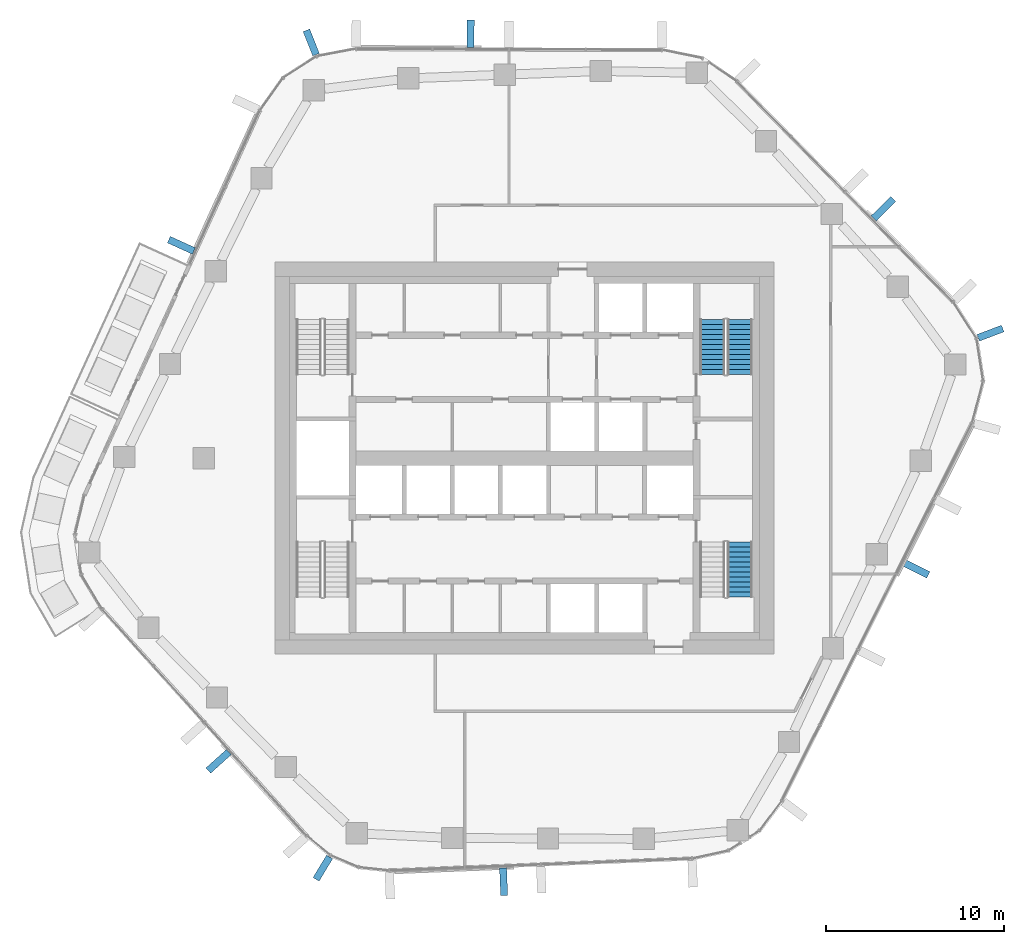
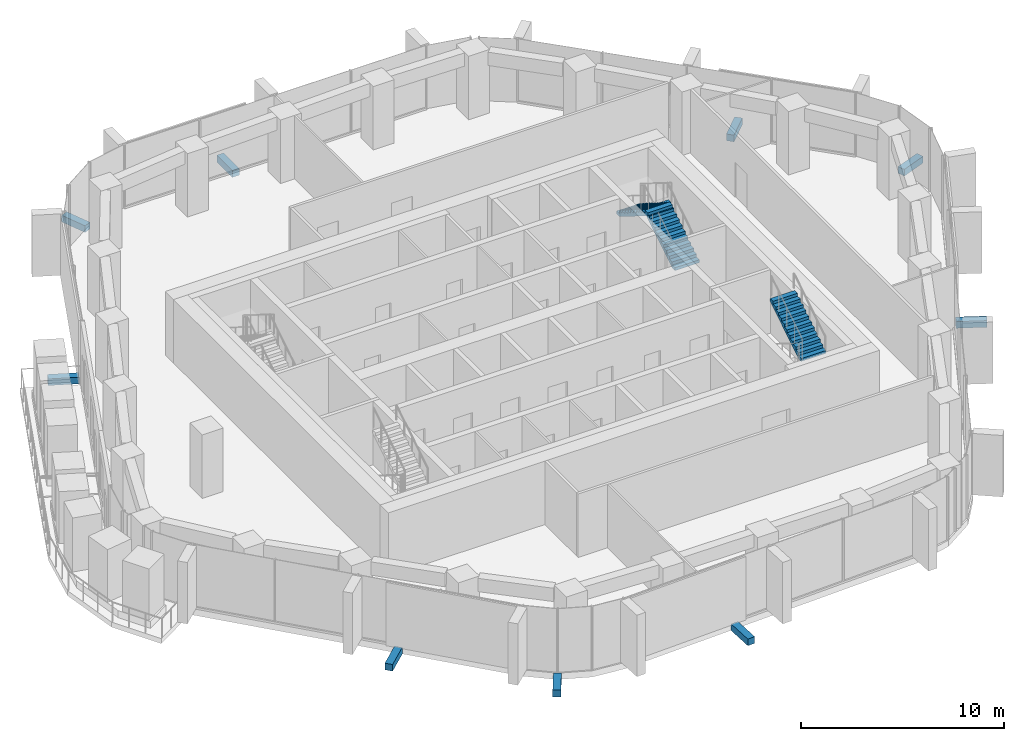
# One storey, part 14 of 18: 9 discrete accessories, 3 stair flights, 2 elements without a shape of their own.
"""IFC4 building model written with IfcOpenShell, lengths in metres."""

from ifc_helpers import new_model, si_unit, direction, frame, origin, origin_2d, place, context, subcontext, project, spatial, polyline, rectangle, outline, extrude, material, layer, layer_set, type_object, element, aggregate, save


model = new_model("IFC4")

# Units and contexts
model_context = context("Model", 3, precision=1e-05, world=origin(), true_north=direction((0.0, 1.0)))
body_context = subcontext(model_context, "Body", "Model", "MODEL_VIEW")
ifc_project = project(units=[si_unit("LENGTHUNIT", "METRE"), si_unit("AREAUNIT", "SQUARE_METRE"), si_unit("VOLUMEUNIT", "CUBIC_METRE"), si_unit("PLANEANGLEUNIT", "RADIAN"), si_unit("MASSUNIT", "GRAM", prefix="KILO")], contexts=[model_context])

# Site, building, storey
site_placement = place(None, origin())
site = spatial("IfcSite", under=ifc_project, at=site_placement, CompositionType="ELEMENT")
building_placement = place(site_placement, origin())
building = spatial("IfcBuilding", under=site, at=building_placement, Name="Dongbaek Canopy Tower", CompositionType="ELEMENT")
storey_placement = place(building_placement, frame((0.0, 0.0, 203.0)))
storey = spatial("IfcBuildingStorey", under=building, at=storey_placement, Name="L42", CompositionType="ELEMENT", Elevation=203.0)

# Stair, stair flights
ifc_material_1 = material(Name="Concrete C40/50", Category="concrete")
stair_type = type_object("IfcStairType", Name="Core exit stair", PredefinedType="HALF_TURN_STAIR", material=ifc_material_1)
stair_1_placement = place(storey_placement, origin())
stair_1 = element("IfcStair", 1, at=stair_1_placement, inside=storey, type_object=stair_type, Name="L42 exit stair A", PredefinedType="HALF_TURN_STAIR")
ifc_material_2 = material(Name="Concrete C40/50", Category="concrete")
ifc_layer = layer(ifc_material_2, 0.14990234375)
ifc_layer_set = layer_set([ifc_layer], Name="Core stair flight 150 waist")
stair_flight_type = type_object("IfcStairFlightType", Name="Core stair flight 150 waist", PredefinedType="STRAIGHT", material=ifc_layer_set)
stair_flight_1_placement = place(storey_placement, frame((12.10009765625, 4.699951171875, 0.0), z_axis=(0.0, 0.0, 1.0), x_axis=(0.0, 1.0, 0.0)))
stair_flight_1 = element("IfcStairFlight", 2, at=stair_flight_1_placement, type_object=stair_flight_type, Name="ST-A flight 1", NumberOfRisers=12, NumberOfTreads=11, PredefinedType="STRAIGHT", RiserHeight=0.175, TreadLength=0.28, context=body_context, shape_type="SweptSolid", body=[
    extrude(outline(polyline([(0.0, 0.0), (0.0, 0.175048828125), (0.280029296875, 0.175048828125), (0.280029296875, 0.35009765625), (0.56005859375, 0.35009765625), (0.56005859375, 0.52490234375), (0.840087890625, 0.52490234375), (0.840087890625, 0.699951171875), (1.1201171875, 0.699951171875), (1.1201171875, 0.875), (1.39990234375, 0.875), (1.39990234375, 1.050048828125), (1.679931640625, 1.050048828125), (1.679931640625, 1.22509765625), (1.9599609375, 1.22509765625), (1.9599609375, 1.39990234375), (2.239990234375, 1.39990234375), (2.239990234375, 1.574951171875), (2.52001953125, 1.574951171875), (2.52001953125, 1.75), (2.800048828125, 1.75), (2.800048828125, 1.925048828125), (3.080078125, 1.925048828125), (3.080078125, 2.10009765625), (3.080078125, 1.748291015625), (0.28271484375, 0.0), (0.0, 0.0)])), frame((0.0, 0.699951171875, 0.0), z_axis=(0.0, -1.0, 0.0), x_axis=(1.0, 0.0, 0.0)), (0.0, 0.0, 1.0), 1.39990234375),
])
stair_flight_2_placement = place(storey_placement, frame((10.550048828125, 7.780029296875, 2.10009765625), z_axis=(0.0, 0.0, 1.0), x_axis=(0.0, -1.0, 0.0)))
stair_flight_2 = element("IfcStairFlight", 3, at=stair_flight_2_placement, type_object=stair_flight_type, Name="ST-A flight 2", NumberOfRisers=12, NumberOfTreads=11, PredefinedType="STRAIGHT", RiserHeight=0.175, TreadLength=0.28, context=body_context, shape_type="SweptSolid", body=[
    extrude(outline(polyline([(0.0, 0.0), (0.0, 0.175048828125), (0.280029296875, 0.175048828125), (0.280029296875, 0.35009765625), (0.56005859375, 0.35009765625), (0.56005859375, 0.52490234375), (0.840087890625, 0.52490234375), (0.840087890625, 0.699951171875), (1.1201171875, 0.699951171875), (1.1201171875, 0.875), (1.39990234375, 0.875), (1.39990234375, 1.050048828125), (1.679931640625, 1.050048828125), (1.679931640625, 1.22509765625), (1.9599609375, 1.22509765625), (1.9599609375, 1.39990234375), (2.239990234375, 1.39990234375), (2.239990234375, 1.574951171875), (2.52001953125, 1.574951171875), (2.52001953125, 1.75), (2.800048828125, 1.75), (2.800048828125, 1.925048828125), (3.080078125, 1.925048828125), (3.080078125, 2.10009765625), (3.080078125, 1.748291015625), (0.28271484375, 0.0), (0.0, 0.0)])), frame((0.0, 0.699951171875, 0.0), z_axis=(0.0, -1.0, 0.0), x_axis=(1.0, 0.0, 0.0)), (0.0, 0.0, 1.0), 1.39990234375),
])
aggregate(stair_1, [stair_flight_1, stair_flight_2])

# Stair, stair flight
stair_2_placement = place(storey_placement, origin())
stair_2 = element("IfcStair", 4, at=stair_2_placement, inside=storey, type_object=stair_type, Name="L42 exit stair B", PredefinedType="HALF_TURN_STAIR")
stair_flight_3_placement = place(storey_placement, frame((12.10009765625, -7.780029296875, 2.10009765625), z_axis=(0.0, 0.0, 1.0), x_axis=(0.0, 1.0, 0.0)))
stair_flight_3 = element("IfcStairFlight", 5, at=stair_flight_3_placement, type_object=stair_flight_type, Name="ST-B flight 2", NumberOfRisers=12, NumberOfTreads=11, PredefinedType="STRAIGHT", RiserHeight=0.175, TreadLength=0.28, context=body_context, shape_type="SweptSolid", body=[
    extrude(outline(polyline([(0.0, 0.0), (0.0, 0.175048828125), (0.280029296875, 0.175048828125), (0.280029296875, 0.35009765625), (0.56005859375, 0.35009765625), (0.56005859375, 0.52490234375), (0.840087890625, 0.52490234375), (0.840087890625, 0.699951171875), (1.1201171875, 0.699951171875), (1.1201171875, 0.875), (1.39990234375, 0.875), (1.39990234375, 1.050048828125), (1.679931640625, 1.050048828125), (1.679931640625, 1.22509765625), (1.9599609375, 1.22509765625), (1.9599609375, 1.39990234375), (2.239990234375, 1.39990234375), (2.239990234375, 1.574951171875), (2.52001953125, 1.574951171875), (2.52001953125, 1.75), (2.800048828125, 1.75), (2.800048828125, 1.925048828125), (3.080078125, 1.925048828125), (3.080078125, 2.10009765625), (3.080078125, 1.748291015625), (0.28271484375, 0.0), (0.0, 0.0)])), frame((0.0, 0.699951171875, 0.0), z_axis=(0.0, -1.0, 0.0), x_axis=(1.0, 0.0, 0.0)), (0.0, 0.0, 1.0), 1.39990234375),
])
aggregate(stair_2, [stair_flight_3])

# Discrete accessories
ifc_material_3 = material(Name="Galvanised steel S355 bracket", Category="steel")
discrete_accessory_type = type_object("IfcDiscreteAccessoryType", Name="Crease fin bracket BR3 400", PredefinedType="BRACKET", material=ifc_material_3)
discrete_accessory_1_placement = place(storey_placement, frame((21.988525390625, -6.20751953125, -0.389892578125), z_axis=(0.0, 0.0, 1.0), x_axis=(0.89328118623, -0.449498300694, 0.0)))
element("IfcDiscreteAccessory", 6, at=discrete_accessory_1_placement, inside=storey, type_object=discrete_accessory_type, Name="Crease fin bracket L42 F5", PredefinedType="BRACKET", context=body_context, shape_type="SweptSolid", body=[
    extrude(rectangle(XDim=1.5390625, YDim=0.39990234375, at=origin_2d()), origin(), (0.0, 0.0, 1.0), 0.39990234375),
])
discrete_accessory_2_placement = place(storey_placement, frame((20.156005859375, 14.0048828125, -0.389892578125), z_axis=(0.0, 0.0, 1.0), x_axis=(0.713782386627, 0.700367549606, 0.0)))
element("IfcDiscreteAccessory", 7, at=discrete_accessory_2_placement, inside=storey, type_object=discrete_accessory_type, Name="Crease fin bracket L42 F0", PredefinedType="BRACKET", context=body_context, shape_type="SweptSolid", body=[
    extrude(rectangle(XDim=1.540283203125, YDim=0.39990234375, at=origin_2d()), origin(), (0.0, 0.0, 1.0), 0.39990234375),
])
discrete_accessory_3_placement = place(storey_placement, frame((-3.018798828125, 23.82763671875, -0.389892578125), z_axis=(0.0, 0.0, 1.0), x_axis=(0.003675655128, 0.999993244757, 0.0)))
element("IfcDiscreteAccessory", 8, at=discrete_accessory_3_placement, inside=storey, type_object=discrete_accessory_type, Name="Crease fin bracket L42 F1", PredefinedType="BRACKET", context=body_context, shape_type="SweptSolid", body=[
    extrude(rectangle(XDim=1.54248046875, YDim=0.39990234375, at=origin_2d()), origin(), (0.0, 0.0, 1.0), 0.39990234375),
])
discrete_accessory_4_placement = place(storey_placement, frame((-19.2607421875, 11.9501953125, -0.389892578125), z_axis=(0.0, 0.0, 1.0), x_axis=(-0.909933041495, 0.414755180794, 0.0)))
element("IfcDiscreteAccessory", 9, at=discrete_accessory_4_placement, inside=storey, type_object=discrete_accessory_type, Name="Crease fin bracket L42 F2", PredefinedType="BRACKET", context=body_context, shape_type="SweptSolid", body=[
    extrude(rectangle(XDim=1.542724609375, YDim=0.39990234375, at=origin_2d()), origin(), (0.0, 0.0, 1.0), 0.39990234375),
])
discrete_accessory_5_placement = place(storey_placement, frame((-17.172119140625, -17.019287109375, -0.389892578125), z_axis=(0.0, 0.0, 1.0), x_axis=(-0.742299876159, -0.670067827801, 0.0)))
element("IfcDiscreteAccessory", 10, at=discrete_accessory_5_placement, inside=storey, type_object=discrete_accessory_type, Name="Crease fin bracket L42 F3", PredefinedType="BRACKET", context=body_context, shape_type="SweptSolid", body=[
    extrude(rectangle(XDim=1.552978515625, YDim=0.39990234375, at=origin_2d()), origin(), (0.0, 0.0, 1.0), 0.39990234375),
])
discrete_accessory_6_placement = place(storey_placement, frame((-1.16845703125, -23.774169921875, -0.389892578125), z_axis=(0.0, 0.0, 1.0), x_axis=(0.039275511607, -0.999228419426, 0.0)))
element("IfcDiscreteAccessory", 11, at=discrete_accessory_6_placement, inside=storey, type_object=discrete_accessory_type, Name="Crease fin bracket L42 F4", PredefinedType="BRACKET", context=body_context, shape_type="SweptSolid", body=[
    extrude(rectangle(XDim=1.550537109375, YDim=0.39990234375, at=origin_2d()), origin(), (0.0, 0.0, 1.0), 0.39990234375),
])
for number, where, z_axis, x_axis, name in (
    (12, (26.164794921875, 7.0185546875, -0.389892578125), (0.0, 0.0, 1.0), (0.935235345737, 0.354026620588, 0.0), "Corner fin bracket L42 K0"),
    (13, (-11.97021484375, 23.338134765625, -0.389892578125), (0.0, 0.0, 1.0), (-0.369610535351, 0.929186769254, 0.0), "Corner fin bracket L42 K2"),
    (14, (-11.318603515625, -23.016357421875, -0.389892578125), (0.0, 0.0, 1.0), (-0.51804940258, -0.855350697952, 0.0), "Corner fin bracket L42 K4"),
):
    element("IfcDiscreteAccessory", number, at=place(storey_placement, frame(where, z_axis=z_axis, x_axis=x_axis)), inside=storey, type_object=discrete_accessory_type, Name=name, PredefinedType="BRACKET", context=body_context, shape_type="SweptSolid", body=[
        extrude(rectangle(XDim=1.469970703125, YDim=0.39990234375, at=origin_2d()), origin(), (0.0, 0.0, 1.0), 0.39990234375),
    ])

save(model, "model.ifc")
